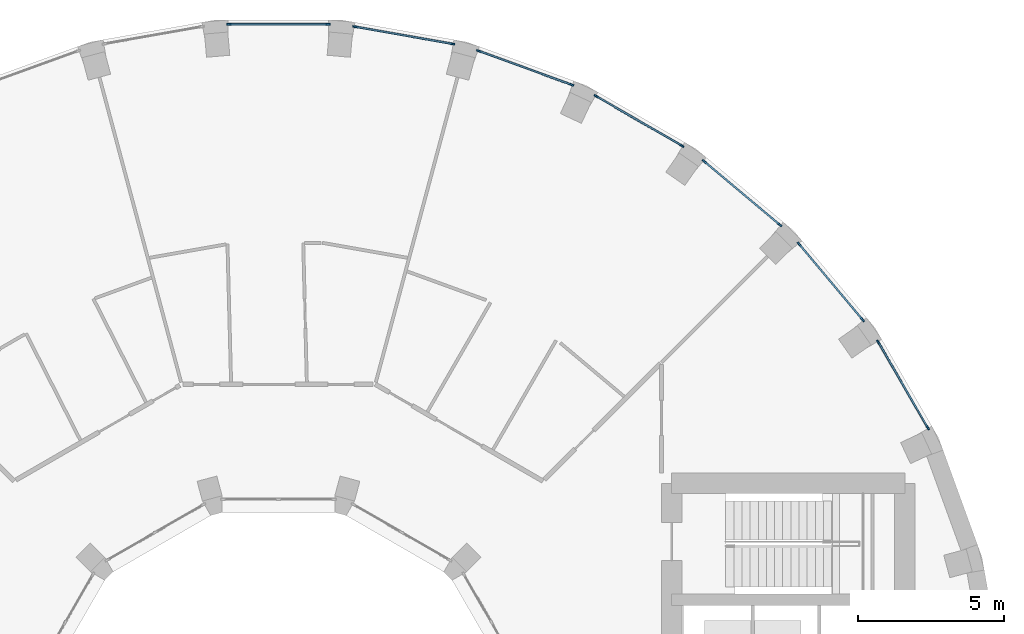
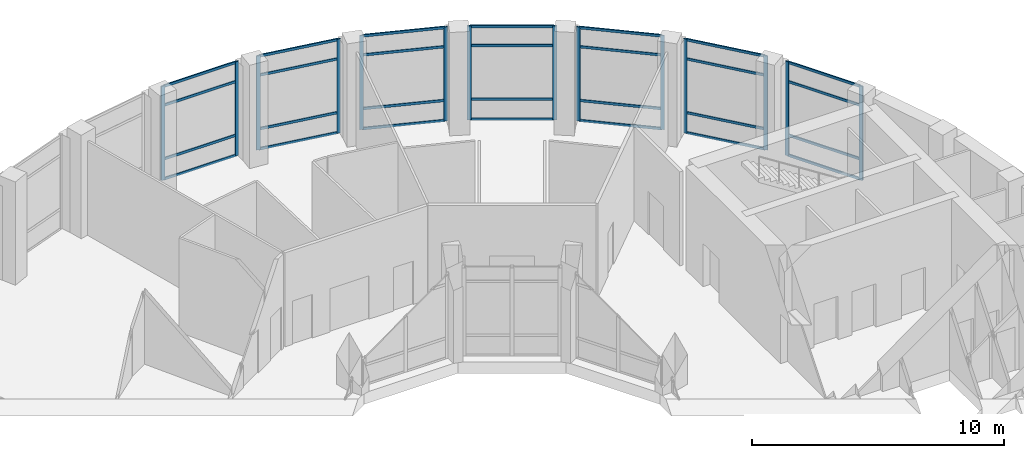
# One storey, part 7 of 18: 42 members, 7 elements without a shape of their own.
"""IFC4 building model written with IfcOpenShell, lengths in metres."""

from ifc_helpers import new_model, si_unit, direction, frame, origin, origin_2d, place, context, subcontext, project, spatial, rectangle, extrude, material, layer, layer_set, material_profile, profile_set, type_object, element, aggregate, save


model = new_model("IFC4")

# Units and contexts
model_context = context("Model", 3, precision=1e-05, world=origin(), true_north=direction((0.0, 1.0)))
body_context = subcontext(model_context, "Body", "Model", "MODEL_VIEW")
ifc_project = project(units=[si_unit("LENGTHUNIT", "METRE"), si_unit("AREAUNIT", "SQUARE_METRE"), si_unit("VOLUMEUNIT", "CUBIC_METRE"), si_unit("PLANEANGLEUNIT", "RADIAN"), si_unit("MASSUNIT", "GRAM", prefix="KILO")], contexts=[model_context])

# Site, building, storey
site_placement = place(None, origin())
site = spatial("IfcSite", under=ifc_project, at=site_placement, CompositionType="ELEMENT")
building_placement = place(site_placement, origin())
building = spatial("IfcBuilding", under=site, at=building_placement, Name="Saqina Gate Tower", CompositionType="ELEMENT")
storey_placement = place(building_placement, frame((0.0, 0.0, 155.800048828125)))
storey = spatial("IfcBuildingStorey", under=building, at=storey_placement, Name="L44", CompositionType="ELEMENT", Elevation=155.800048828125)

# Curtain wall, members
ifc_material_1 = material(Name="Aluminium glazing", Category="aluminium")
ifc_layer = layer(ifc_material_1, 0.159912109375)
ifc_layer_set = layer_set([ifc_layer], Name="CWT-2")
curtain_wall_type = type_object("IfcCurtainWallType", Name="CWT-2", PredefinedType="NOTDEFINED", material=ifc_layer_set)
curtain_wall_1_placement = place(storey_placement, origin())
curtain_wall_1 = element("IfcCurtainWall", 1, at=curtain_wall_1_placement, inside=storey, type_object=curtain_wall_type, Name="Sky lounge glazing facet 3", PredefinedType="NOTDEFINED")
ifc_material_2 = material(Name="Aluminium", Category="aluminium")
ifc_material_profile_1 = material_profile(ifc_material_2, rectangle(XDim=0.06005859375, YDim=0.159912109375, at=origin_2d()), Name="Aluminium 60x160")
ifc_profile_set_1 = profile_set([ifc_material_profile_1], Name="Aluminium")
member_type_1 = type_object("IfcMemberType", Name="CWT-2M", PredefinedType="MULLION", material=ifc_profile_set_1)
member_1_placement = place(storey_placement, frame((22.285888671875, 10.90966796875, 0.0), z_axis=(0.0, 0.0, 1.0), x_axis=(-0.866017110341, -0.500014364391, 0.0)))
member_1 = element("IfcMember", 2, at=member_1_placement, type_object=member_type_1, Name="CW2-03 mullion 1", PredefinedType="MULLION", context=body_context, shape_type="SweptSolid", body=[
    extrude(rectangle(XDim=0.06005859375, YDim=0.159912109375, at=origin_2d()), origin(), (0.0, 0.0, 1.0), 4.550048828125),
])
member_2_placement = place(storey_placement, frame((20.5908203125, 13.84521484375, 0.0), z_axis=(0.0, 0.0, 1.0), x_axis=(-0.866017110341, -0.500014364391, 0.0)))
member_2 = element("IfcMember", 3, at=member_2_placement, type_object=member_type_1, Name="CW2-03 mullion 2", PredefinedType="MULLION", context=body_context, shape_type="SweptSolid", body=[
    extrude(rectangle(XDim=0.06005859375, YDim=0.159912109375, at=origin_2d()), origin(), (0.0, 0.0, 1.0), 4.550048828125),
])

curtain_wall_2_placement = place(storey_placement, origin())
curtain_wall_2 = element("IfcCurtainWall", 4, at=curtain_wall_2_placement, inside=storey, type_object=curtain_wall_type, Name="Sky lounge glazing facet 4", PredefinedType="NOTDEFINED")
member_3_placement = place(storey_placement, frame((20.052734375, 14.61376953125, 0.0), z_axis=(0.0, 0.0, 1.0), x_axis=(-0.766042815286, -0.642789549658, 0.0)))
member_3 = element("IfcMember", 5, at=member_3_placement, type_object=member_type_1, Name="CW2-04 mullion 1", PredefinedType="MULLION", context=body_context, shape_type="SweptSolid", body=[
    extrude(rectangle(XDim=0.06005859375, YDim=0.159912109375, at=origin_2d()), origin(), (0.0, 0.0, 1.0), 4.550048828125),
])
member_4_placement = place(storey_placement, frame((17.873779296875, 17.21044921875, 0.0), z_axis=(0.0, 0.0, 1.0), x_axis=(-0.766042815286, -0.642789549658, 0.0)))
member_4 = element("IfcMember", 6, at=member_4_placement, type_object=member_type_1, Name="CW2-04 mullion 2", PredefinedType="MULLION", context=body_context, shape_type="SweptSolid", body=[
    extrude(rectangle(XDim=0.06005859375, YDim=0.159912109375, at=origin_2d()), origin(), (0.0, 0.0, 1.0), 4.550048828125),
])

curtain_wall_3_placement = place(storey_placement, origin())
curtain_wall_3 = element("IfcCurtainWall", 7, at=curtain_wall_3_placement, inside=storey, type_object=curtain_wall_type, Name="Sky lounge glazing facet 5", PredefinedType="NOTDEFINED")
member_5_placement = place(storey_placement, frame((17.21044921875, 17.873779296875, 0.0), z_axis=(0.0, 0.0, 1.0), x_axis=(-0.642789549658, -0.766042815286, 0.0)))
member_5 = element("IfcMember", 8, at=member_5_placement, type_object=member_type_1, Name="CW2-05 mullion 1", PredefinedType="MULLION", context=body_context, shape_type="SweptSolid", body=[
    extrude(rectangle(XDim=0.06005859375, YDim=0.159912109375, at=origin_2d()), origin(), (0.0, 0.0, 1.0), 4.550048828125),
])
member_6_placement = place(storey_placement, frame((14.61376953125, 20.052734375, 0.0), z_axis=(0.0, 0.0, 1.0), x_axis=(-0.642789549658, -0.766042815286, 0.0)))
member_6 = element("IfcMember", 9, at=member_6_placement, type_object=member_type_1, Name="CW2-05 mullion 2", PredefinedType="MULLION", context=body_context, shape_type="SweptSolid", body=[
    extrude(rectangle(XDim=0.06005859375, YDim=0.159912109375, at=origin_2d()), origin(), (0.0, 0.0, 1.0), 4.550048828125),
])

curtain_wall_4_placement = place(storey_placement, origin())
curtain_wall_4 = element("IfcCurtainWall", 10, at=curtain_wall_4_placement, inside=storey, type_object=curtain_wall_type, Name="Sky lounge glazing facet 6", PredefinedType="NOTDEFINED")
member_7_placement = place(storey_placement, frame((13.84521484375, 20.5908203125, 0.0), z_axis=(0.0, 0.0, 1.0), x_axis=(-0.500014364391, -0.866017110341, 0.0)))
member_7 = element("IfcMember", 11, at=member_7_placement, type_object=member_type_1, Name="CW2-06 mullion 1", PredefinedType="MULLION", context=body_context, shape_type="SweptSolid", body=[
    extrude(rectangle(XDim=0.06005859375, YDim=0.159912109375, at=origin_2d()), origin(), (0.0, 0.0, 1.0), 4.550048828125),
])
member_8_placement = place(storey_placement, frame((10.90966796875, 22.285888671875, 0.0), z_axis=(0.0, 0.0, 1.0), x_axis=(-0.500014364391, -0.866017110341, 0.0)))
member_8 = element("IfcMember", 12, at=member_8_placement, type_object=member_type_1, Name="CW2-06 mullion 2", PredefinedType="MULLION", context=body_context, shape_type="SweptSolid", body=[
    extrude(rectangle(XDim=0.06005859375, YDim=0.159912109375, at=origin_2d()), origin(), (0.0, 0.0, 1.0), 4.550048828125),
])

curtain_wall_5_placement = place(storey_placement, origin())
curtain_wall_5 = element("IfcCurtainWall", 13, at=curtain_wall_5_placement, inside=storey, type_object=curtain_wall_type, Name="Sky lounge glazing facet 7", PredefinedType="NOTDEFINED")
member_9_placement = place(storey_placement, frame((10.059326171875, 22.682373046875, 0.0), z_axis=(0.0, 0.0, 1.0), x_axis=(-0.342024671777, -0.939690972552, 0.0)))
member_9 = element("IfcMember", 14, at=member_9_placement, type_object=member_type_1, Name="CW2-07 mullion 1", PredefinedType="MULLION", context=body_context, shape_type="SweptSolid", body=[
    extrude(rectangle(XDim=0.06005859375, YDim=0.159912109375, at=origin_2d()), origin(), (0.0, 0.0, 1.0), 4.550048828125),
])
member_10_placement = place(storey_placement, frame((6.8740234375, 23.841552734375, 0.0), z_axis=(0.0, 0.0, 1.0), x_axis=(-0.342024671777, -0.939690972552, 0.0)))
member_10 = element("IfcMember", 15, at=member_10_placement, type_object=member_type_1, Name="CW2-07 mullion 2", PredefinedType="MULLION", context=body_context, shape_type="SweptSolid", body=[
    extrude(rectangle(XDim=0.06005859375, YDim=0.159912109375, at=origin_2d()), origin(), (0.0, 0.0, 1.0), 4.550048828125),
])

curtain_wall_6_placement = place(storey_placement, origin())
curtain_wall_6 = element("IfcCurtainWall", 16, at=curtain_wall_6_placement, inside=storey, type_object=curtain_wall_type, Name="Sky lounge glazing facet 8", PredefinedType="NOTDEFINED")
member_11_placement = place(storey_placement, frame((5.9677734375, 24.08447265625, 0.0), z_axis=(0.0, 0.0, 1.0), x_axis=(-0.173638154602, -0.984809520296, 0.0)))
member_11 = element("IfcMember", 17, at=member_11_placement, type_object=member_type_1, Name="CW2-08 mullion 1", PredefinedType="MULLION", context=body_context, shape_type="SweptSolid", body=[
    extrude(rectangle(XDim=0.06005859375, YDim=0.159912109375, at=origin_2d()), origin(), (0.0, 0.0, 1.0), 4.550048828125),
])
member_12_placement = place(storey_placement, frame((2.629638671875, 24.673095703125, 0.0), z_axis=(0.0, 0.0, 1.0), x_axis=(-0.173638154602, -0.984809520296, 0.0)))
member_12 = element("IfcMember", 18, at=member_12_placement, type_object=member_type_1, Name="CW2-08 mullion 2", PredefinedType="MULLION", context=body_context, shape_type="SweptSolid", body=[
    extrude(rectangle(XDim=0.06005859375, YDim=0.159912109375, at=origin_2d()), origin(), (0.0, 0.0, 1.0), 4.550048828125),
])

curtain_wall_7_placement = place(storey_placement, origin())
curtain_wall_7 = element("IfcCurtainWall", 19, at=curtain_wall_7_placement, inside=storey, type_object=curtain_wall_type, Name="Sky lounge glazing facet 9", PredefinedType="NOTDEFINED")
member_13_placement = place(storey_placement, frame((1.69482421875, 24.7548828125, 0.0), z_axis=(0.0, 0.0, 1.0), x_axis=(0.0, -1.0, 0.0)))
member_13 = element("IfcMember", 20, at=member_13_placement, type_object=member_type_1, Name="CW2-09 mullion 1", PredefinedType="MULLION", context=body_context, shape_type="SweptSolid", body=[
    extrude(rectangle(XDim=0.06005859375, YDim=0.159912109375, at=origin_2d()), origin(), (0.0, 0.0, 1.0), 4.550048828125),
])
member_14_placement = place(storey_placement, frame((-1.69482421875, 24.7548828125, 0.0), z_axis=(0.0, 0.0, 1.0), x_axis=(0.0, -1.0, 0.0)))
member_14 = element("IfcMember", 21, at=member_14_placement, type_object=member_type_1, Name="CW2-09 mullion 2", PredefinedType="MULLION", context=body_context, shape_type="SweptSolid", body=[
    extrude(rectangle(XDim=0.06005859375, YDim=0.159912109375, at=origin_2d()), origin(), (0.0, 0.0, 1.0), 4.550048828125),
])

# Member
ifc_material_3 = material(Name="Aluminium", Category="aluminium")
ifc_material_profile_2 = material_profile(ifc_material_3, rectangle(XDim=0.06005859375, YDim=0.1201171875, at=origin_2d()), Name="Aluminium 60x120")
ifc_profile_set_2 = profile_set([ifc_material_profile_2], Name="Aluminium")
member_type_2 = type_object("IfcMemberType", Name="CWT-2T", PredefinedType="USERDEFINED", material=ifc_profile_set_2)
member_15_placement = place(storey_placement, frame((22.270751953125, 10.935546875, 0.030029296875), z_axis=(-0.499963630688, 0.866046400599, 0.0), x_axis=(-0.866046400599, -0.499963630688, 0.0)))
member_15 = element("IfcMember", 22, at=member_15_placement, type_object=member_type_2, Name="CW2-03 transom 1.1", ObjectType="TRANSOM", PredefinedType="USERDEFINED", context=body_context, shape_type="SweptSolid", body=[
    extrude(rectangle(XDim=0.06005859375, YDim=0.1201171875, at=origin_2d()), origin(), (0.0, 0.0, 1.0), 3.329833984375),
])

member_16_placement = place(storey_placement, frame((22.270751953125, 10.935546875, 1.0), z_axis=(-0.499963630688, 0.866046400599, 0.0), x_axis=(-0.866046400599, -0.499963630688, 0.0)))
member_16 = element("IfcMember", 23, at=member_16_placement, type_object=member_type_2, Name="CW2-03 transom 1.2", ObjectType="TRANSOM", PredefinedType="USERDEFINED", context=body_context, shape_type="SweptSolid", body=[
    extrude(rectangle(XDim=0.06005859375, YDim=0.1201171875, at=origin_2d()), origin(), (0.0, 0.0, 1.0), 3.329833984375),
])

member_17_placement = place(storey_placement, frame((22.270751953125, 10.935546875, 3.599853515625), z_axis=(-0.499963630688, 0.866046400599, 0.0), x_axis=(-0.866046400599, -0.499963630688, 0.0)))
member_17 = element("IfcMember", 24, at=member_17_placement, type_object=member_type_2, Name="CW2-03 transom 1.3", ObjectType="TRANSOM", PredefinedType="USERDEFINED", context=body_context, shape_type="SweptSolid", body=[
    extrude(rectangle(XDim=0.06005859375, YDim=0.1201171875, at=origin_2d()), origin(), (0.0, 0.0, 1.0), 3.329833984375),
])

member_18_placement = place(storey_placement, frame((22.270751953125, 10.935546875, 4.52001953125), z_axis=(-0.499963630688, 0.866046400599, 0.0), x_axis=(-0.866046400599, -0.499963630688, 0.0)))
member_18 = element("IfcMember", 25, at=member_18_placement, type_object=member_type_2, Name="CW2-03 transom 1.4", ObjectType="TRANSOM", PredefinedType="USERDEFINED", context=body_context, shape_type="SweptSolid", body=[
    extrude(rectangle(XDim=0.06005859375, YDim=0.1201171875, at=origin_2d()), origin(), (0.0, 0.0, 1.0), 3.329833984375),
])

aggregate(curtain_wall_1, [member_1, member_2, member_15, member_16, member_17, member_18])

member_19_placement = place(storey_placement, frame((20.033447265625, 14.63671875, 0.030029296875), z_axis=(-0.642791355206, 0.766041300239, 0.0), x_axis=(-0.766041300239, -0.642791355206, 0.0)))
member_19 = element("IfcMember", 26, at=member_19_placement, type_object=member_type_2, Name="CW2-04 transom 1.1", ObjectType="TRANSOM", PredefinedType="USERDEFINED", context=body_context, shape_type="SweptSolid", body=[
    extrude(rectangle(XDim=0.06005859375, YDim=0.1201171875, at=origin_2d()), origin(), (0.0, 0.0, 1.0), 3.329833984375),
])

member_20_placement = place(storey_placement, frame((20.033447265625, 14.63671875, 1.0), z_axis=(-0.642791355206, 0.766041300239, 0.0), x_axis=(-0.766041300239, -0.642791355206, 0.0)))
member_20 = element("IfcMember", 27, at=member_20_placement, type_object=member_type_2, Name="CW2-04 transom 1.2", ObjectType="TRANSOM", PredefinedType="USERDEFINED", context=body_context, shape_type="SweptSolid", body=[
    extrude(rectangle(XDim=0.06005859375, YDim=0.1201171875, at=origin_2d()), origin(), (0.0, 0.0, 1.0), 3.329833984375),
])

member_21_placement = place(storey_placement, frame((20.033447265625, 14.63671875, 3.599853515625), z_axis=(-0.642791355206, 0.766041300239, 0.0), x_axis=(-0.766041300239, -0.642791355206, 0.0)))
member_21 = element("IfcMember", 28, at=member_21_placement, type_object=member_type_2, Name="CW2-04 transom 1.3", ObjectType="TRANSOM", PredefinedType="USERDEFINED", context=body_context, shape_type="SweptSolid", body=[
    extrude(rectangle(XDim=0.06005859375, YDim=0.1201171875, at=origin_2d()), origin(), (0.0, 0.0, 1.0), 3.329833984375),
])

member_22_placement = place(storey_placement, frame((20.033447265625, 14.63671875, 4.52001953125), z_axis=(-0.642791355206, 0.766041300239, 0.0), x_axis=(-0.766041300239, -0.642791355206, 0.0)))
member_22 = element("IfcMember", 29, at=member_22_placement, type_object=member_type_2, Name="CW2-04 transom 1.4", ObjectType="TRANSOM", PredefinedType="USERDEFINED", context=body_context, shape_type="SweptSolid", body=[
    extrude(rectangle(XDim=0.06005859375, YDim=0.1201171875, at=origin_2d()), origin(), (0.0, 0.0, 1.0), 3.329833984375),
])

aggregate(curtain_wall_2, [member_3, member_4, member_19, member_20, member_21, member_22])

member_23_placement = place(storey_placement, frame((17.1875, 17.89306640625, 0.030029296875), z_axis=(-0.766041300239, 0.642791355206, 0.0), x_axis=(-0.642791355206, -0.766041300239, 0.0)))
member_23 = element("IfcMember", 30, at=member_23_placement, type_object=member_type_2, Name="CW2-05 transom 1.1", ObjectType="TRANSOM", PredefinedType="USERDEFINED", context=body_context, shape_type="SweptSolid", body=[
    extrude(rectangle(XDim=0.06005859375, YDim=0.1201171875, at=origin_2d()), origin(), (0.0, 0.0, 1.0), 3.329833984375),
])

member_24_placement = place(storey_placement, frame((17.1875, 17.89306640625, 1.0), z_axis=(-0.766041300239, 0.642791355206, 0.0), x_axis=(-0.642791355206, -0.766041300239, 0.0)))
member_24 = element("IfcMember", 31, at=member_24_placement, type_object=member_type_2, Name="CW2-05 transom 1.2", ObjectType="TRANSOM", PredefinedType="USERDEFINED", context=body_context, shape_type="SweptSolid", body=[
    extrude(rectangle(XDim=0.06005859375, YDim=0.1201171875, at=origin_2d()), origin(), (0.0, 0.0, 1.0), 3.329833984375),
])

member_25_placement = place(storey_placement, frame((17.1875, 17.89306640625, 3.599853515625), z_axis=(-0.766041300239, 0.642791355206, 0.0), x_axis=(-0.642791355206, -0.766041300239, 0.0)))
member_25 = element("IfcMember", 32, at=member_25_placement, type_object=member_type_2, Name="CW2-05 transom 1.3", ObjectType="TRANSOM", PredefinedType="USERDEFINED", context=body_context, shape_type="SweptSolid", body=[
    extrude(rectangle(XDim=0.06005859375, YDim=0.1201171875, at=origin_2d()), origin(), (0.0, 0.0, 1.0), 3.329833984375),
])

member_26_placement = place(storey_placement, frame((17.1875, 17.89306640625, 4.52001953125), z_axis=(-0.766041300239, 0.642791355206, 0.0), x_axis=(-0.642791355206, -0.766041300239, 0.0)))
member_26 = element("IfcMember", 33, at=member_26_placement, type_object=member_type_2, Name="CW2-05 transom 1.4", ObjectType="TRANSOM", PredefinedType="USERDEFINED", context=body_context, shape_type="SweptSolid", body=[
    extrude(rectangle(XDim=0.06005859375, YDim=0.1201171875, at=origin_2d()), origin(), (0.0, 0.0, 1.0), 3.329833984375),
])

aggregate(curtain_wall_3, [member_5, member_6, member_23, member_24, member_25, member_26])

member_27_placement = place(storey_placement, frame((13.8193359375, 20.60595703125, 0.030029296875), z_axis=(-0.866046400599, 0.499963630688, 0.0), x_axis=(-0.499963630688, -0.866046400599, 0.0)))
member_27 = element("IfcMember", 34, at=member_27_placement, type_object=member_type_2, Name="CW2-06 transom 1.1", ObjectType="TRANSOM", PredefinedType="USERDEFINED", context=body_context, shape_type="SweptSolid", body=[
    extrude(rectangle(XDim=0.06005859375, YDim=0.1201171875, at=origin_2d()), origin(), (0.0, 0.0, 1.0), 3.329833984375),
])

member_28_placement = place(storey_placement, frame((13.8193359375, 20.60595703125, 1.0), z_axis=(-0.866046400599, 0.499963630688, 0.0), x_axis=(-0.499963630688, -0.866046400599, 0.0)))
member_28 = element("IfcMember", 35, at=member_28_placement, type_object=member_type_2, Name="CW2-06 transom 1.2", ObjectType="TRANSOM", PredefinedType="USERDEFINED", context=body_context, shape_type="SweptSolid", body=[
    extrude(rectangle(XDim=0.06005859375, YDim=0.1201171875, at=origin_2d()), origin(), (0.0, 0.0, 1.0), 3.329833984375),
])

member_29_placement = place(storey_placement, frame((13.8193359375, 20.60595703125, 3.599853515625), z_axis=(-0.866046400599, 0.499963630688, 0.0), x_axis=(-0.499963630688, -0.866046400599, 0.0)))
member_29 = element("IfcMember", 36, at=member_29_placement, type_object=member_type_2, Name="CW2-06 transom 1.3", ObjectType="TRANSOM", PredefinedType="USERDEFINED", context=body_context, shape_type="SweptSolid", body=[
    extrude(rectangle(XDim=0.06005859375, YDim=0.1201171875, at=origin_2d()), origin(), (0.0, 0.0, 1.0), 3.329833984375),
])

member_30_placement = place(storey_placement, frame((13.8193359375, 20.60595703125, 4.52001953125), z_axis=(-0.866046400599, 0.499963630688, 0.0), x_axis=(-0.499963630688, -0.866046400599, 0.0)))
member_30 = element("IfcMember", 37, at=member_30_placement, type_object=member_type_2, Name="CW2-06 transom 1.4", ObjectType="TRANSOM", PredefinedType="USERDEFINED", context=body_context, shape_type="SweptSolid", body=[
    extrude(rectangle(XDim=0.06005859375, YDim=0.1201171875, at=origin_2d()), origin(), (0.0, 0.0, 1.0), 3.329833984375),
])

aggregate(curtain_wall_4, [member_7, member_8, member_27, member_28, member_29, member_30])

member_31_placement = place(storey_placement, frame((10.031005859375, 22.692626953125, 0.030029296875), z_axis=(-0.939707761266, 0.341978542333, 0.0), x_axis=(-0.341978542333, -0.939707761266, 0.0)))
member_31 = element("IfcMember", 38, at=member_31_placement, type_object=member_type_2, Name="CW2-07 transom 1.1", ObjectType="TRANSOM", PredefinedType="USERDEFINED", context=body_context, shape_type="SweptSolid", body=[
    extrude(rectangle(XDim=0.06005859375, YDim=0.1201171875, at=origin_2d()), origin(), (0.0, 0.0, 1.0), 3.32958984375),
])

member_32_placement = place(storey_placement, frame((10.031005859375, 22.692626953125, 1.0), z_axis=(-0.939707761266, 0.341978542333, 0.0), x_axis=(-0.341978542333, -0.939707761266, 0.0)))
member_32 = element("IfcMember", 39, at=member_32_placement, type_object=member_type_2, Name="CW2-07 transom 1.2", ObjectType="TRANSOM", PredefinedType="USERDEFINED", context=body_context, shape_type="SweptSolid", body=[
    extrude(rectangle(XDim=0.06005859375, YDim=0.1201171875, at=origin_2d()), origin(), (0.0, 0.0, 1.0), 3.32958984375),
])

member_33_placement = place(storey_placement, frame((10.031005859375, 22.692626953125, 3.599853515625), z_axis=(-0.939707761266, 0.341978542333, 0.0), x_axis=(-0.341978542333, -0.939707761266, 0.0)))
member_33 = element("IfcMember", 40, at=member_33_placement, type_object=member_type_2, Name="CW2-07 transom 1.3", ObjectType="TRANSOM", PredefinedType="USERDEFINED", context=body_context, shape_type="SweptSolid", body=[
    extrude(rectangle(XDim=0.06005859375, YDim=0.1201171875, at=origin_2d()), origin(), (0.0, 0.0, 1.0), 3.32958984375),
])

member_34_placement = place(storey_placement, frame((10.031005859375, 22.692626953125, 4.52001953125), z_axis=(-0.939707761266, 0.341978542333, 0.0), x_axis=(-0.341978542333, -0.939707761266, 0.0)))
member_34 = element("IfcMember", 41, at=member_34_placement, type_object=member_type_2, Name="CW2-07 transom 1.4", ObjectType="TRANSOM", PredefinedType="USERDEFINED", context=body_context, shape_type="SweptSolid", body=[
    extrude(rectangle(XDim=0.06005859375, YDim=0.1201171875, at=origin_2d()), origin(), (0.0, 0.0, 1.0), 3.32958984375),
])

aggregate(curtain_wall_5, [member_9, member_10, member_31, member_32, member_33, member_34])

member_35_placement = place(storey_placement, frame((5.938232421875, 24.089599609375, 0.030029296875), z_axis=(-0.984798318241, 0.173701676414, 0.0), x_axis=(-0.173701676414, -0.984798318241, 0.0)))
member_35 = element("IfcMember", 42, at=member_35_placement, type_object=member_type_2, Name="CW2-08 transom 1.1", ObjectType="TRANSOM", PredefinedType="USERDEFINED", context=body_context, shape_type="SweptSolid", body=[
    extrude(rectangle(XDim=0.06005859375, YDim=0.1201171875, at=origin_2d()), origin(), (0.0, 0.0, 1.0), 3.32958984375),
])

member_36_placement = place(storey_placement, frame((5.938232421875, 24.089599609375, 1.0), z_axis=(-0.984798318241, 0.173701676414, 0.0), x_axis=(-0.173701676414, -0.984798318241, 0.0)))
member_36 = element("IfcMember", 43, at=member_36_placement, type_object=member_type_2, Name="CW2-08 transom 1.2", ObjectType="TRANSOM", PredefinedType="USERDEFINED", context=body_context, shape_type="SweptSolid", body=[
    extrude(rectangle(XDim=0.06005859375, YDim=0.1201171875, at=origin_2d()), origin(), (0.0, 0.0, 1.0), 3.32958984375),
])

member_37_placement = place(storey_placement, frame((5.938232421875, 24.089599609375, 3.599853515625), z_axis=(-0.984798318241, 0.173701676414, 0.0), x_axis=(-0.173701676414, -0.984798318241, 0.0)))
member_37 = element("IfcMember", 44, at=member_37_placement, type_object=member_type_2, Name="CW2-08 transom 1.3", ObjectType="TRANSOM", PredefinedType="USERDEFINED", context=body_context, shape_type="SweptSolid", body=[
    extrude(rectangle(XDim=0.06005859375, YDim=0.1201171875, at=origin_2d()), origin(), (0.0, 0.0, 1.0), 3.32958984375),
])

member_38_placement = place(storey_placement, frame((5.938232421875, 24.089599609375, 4.52001953125), z_axis=(-0.984798318241, 0.173701676414, 0.0), x_axis=(-0.173701676414, -0.984798318241, 0.0)))
member_38 = element("IfcMember", 45, at=member_38_placement, type_object=member_type_2, Name="CW2-08 transom 1.4", ObjectType="TRANSOM", PredefinedType="USERDEFINED", context=body_context, shape_type="SweptSolid", body=[
    extrude(rectangle(XDim=0.06005859375, YDim=0.1201171875, at=origin_2d()), origin(), (0.0, 0.0, 1.0), 3.32958984375),
])

aggregate(curtain_wall_6, [member_11, member_12, member_35, member_36, member_37, member_38])

member_39_placement = place(storey_placement, frame((1.664794921875, 24.7548828125, 0.030029296875), z_axis=(-1.0, 0.0, 0.0), x_axis=(0.0, -1.0, 0.0)))
member_39 = element("IfcMember", 46, at=member_39_placement, type_object=member_type_2, Name="CW2-09 transom 1.1", ObjectType="TRANSOM", PredefinedType="USERDEFINED", context=body_context, shape_type="SweptSolid", body=[
    extrude(rectangle(XDim=0.06005859375, YDim=0.1201171875, at=origin_2d()), origin(), (0.0, 0.0, 1.0), 3.32958984375),
])

member_40_placement = place(storey_placement, frame((1.664794921875, 24.7548828125, 1.0), z_axis=(-1.0, 0.0, 0.0), x_axis=(0.0, -1.0, 0.0)))
member_40 = element("IfcMember", 47, at=member_40_placement, type_object=member_type_2, Name="CW2-09 transom 1.2", ObjectType="TRANSOM", PredefinedType="USERDEFINED", context=body_context, shape_type="SweptSolid", body=[
    extrude(rectangle(XDim=0.06005859375, YDim=0.1201171875, at=origin_2d()), origin(), (0.0, 0.0, 1.0), 3.32958984375),
])

member_41_placement = place(storey_placement, frame((1.664794921875, 24.7548828125, 3.599853515625), z_axis=(-1.0, 0.0, 0.0), x_axis=(0.0, -1.0, 0.0)))
member_41 = element("IfcMember", 48, at=member_41_placement, type_object=member_type_2, Name="CW2-09 transom 1.3", ObjectType="TRANSOM", PredefinedType="USERDEFINED", context=body_context, shape_type="SweptSolid", body=[
    extrude(rectangle(XDim=0.06005859375, YDim=0.1201171875, at=origin_2d()), origin(), (0.0, 0.0, 1.0), 3.32958984375),
])

member_42_placement = place(storey_placement, frame((1.664794921875, 24.7548828125, 4.52001953125), z_axis=(-1.0, 0.0, 0.0), x_axis=(0.0, -1.0, 0.0)))
member_42 = element("IfcMember", 49, at=member_42_placement, type_object=member_type_2, Name="CW2-09 transom 1.4", ObjectType="TRANSOM", PredefinedType="USERDEFINED", context=body_context, shape_type="SweptSolid", body=[
    extrude(rectangle(XDim=0.06005859375, YDim=0.1201171875, at=origin_2d()), origin(), (0.0, 0.0, 1.0), 3.32958984375),
])

aggregate(curtain_wall_7, [member_13, member_14, member_39, member_40, member_41, member_42])

save(model, "model.ifc")
